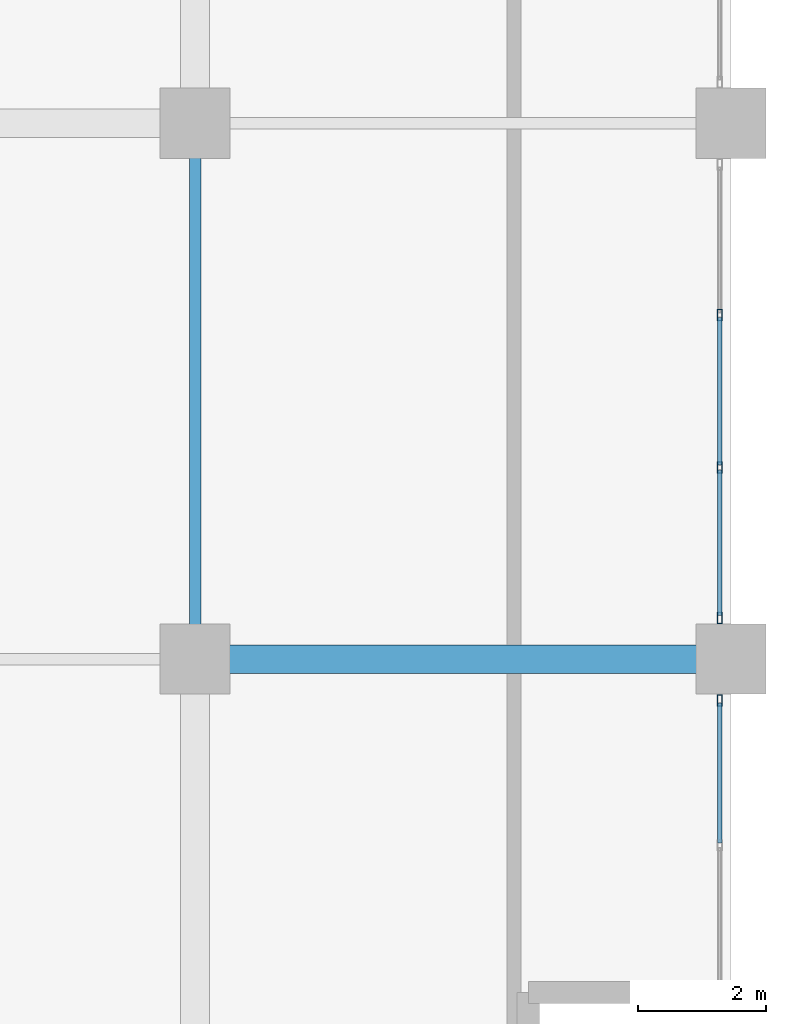
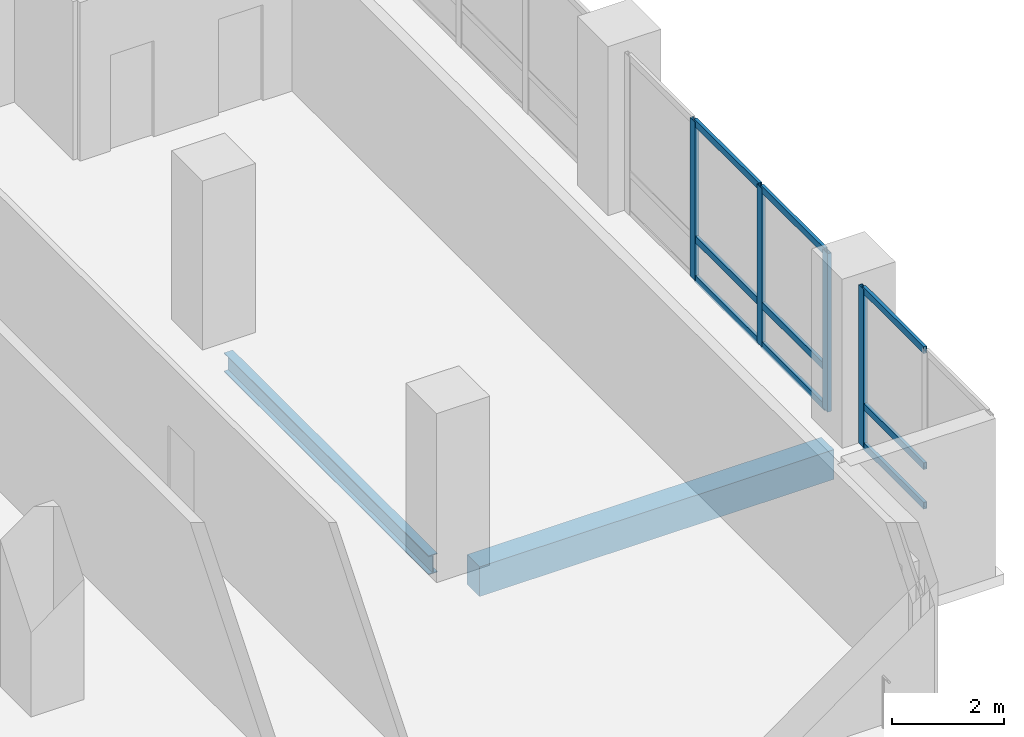
# One storey, part 4 of 22: 13 members, 2 beams, 2 elements without a shape of their own.
"""IFC4 building model written with IfcOpenShell, lengths in metres."""

from ifc_helpers import new_model, si_unit, direction, frame, origin, origin_2d, place, context, subcontext, project, spatial, rectangle, hollow_rectangle, i_section, extrude, material, layer, layer_set, material_profile, profile_set, type_object, element, aggregate, save


model = new_model("IFC4")

# Units and contexts
model_context = context("Model", 3, precision=1e-05, world=origin(), true_north=direction((0.0, 1.0)))
body_context = subcontext(model_context, "Body", "Model", "MODEL_VIEW")
ifc_project = project(units=[si_unit("LENGTHUNIT", "METRE"), si_unit("AREAUNIT", "SQUARE_METRE"), si_unit("VOLUMEUNIT", "CUBIC_METRE"), si_unit("PLANEANGLEUNIT", "RADIAN"), si_unit("MASSUNIT", "GRAM", prefix="KILO")], contexts=[model_context])

# Site, building, storey
site_placement = place(None, origin())
site = spatial("IfcSite", under=ifc_project, at=site_placement, CompositionType="ELEMENT")
building_placement = place(site_placement, origin())
building = spatial("IfcBuilding", under=site, at=building_placement, Name="Koriwani Terraces Tower", CompositionType="ELEMENT")
storey_placement = place(building_placement, frame((0.0, 0.0, 182.800048828125)))
storey = spatial("IfcBuildingStorey", under=building, at=storey_placement, Name="L44", CompositionType="ELEMENT", Elevation=182.800048828125)

# Beam
ifc_material_1 = material(Name="Concrete C50/60", Category="concrete")
ifc_material_profile_1 = material_profile(ifc_material_1, rectangle(XDim=0.449951171875, YDim=0.64990234375, at=origin_2d()), Name="Concrete C50/60", Category="LoadBearing")
ifc_profile_set_1 = profile_set([ifc_material_profile_1], Name="Concrete C50/60")
beam_type_1 = type_object("IfcBeamType", Name="BEAM_RC_GRID_450X650", PredefinedType="BEAM", material=ifc_profile_set_1)
beam_1_placement = place(storey_placement, frame((67.72998046875, 8.39990234375, -0.554931640625), z_axis=(1.0, 0.0, 0.0), x_axis=(0.0, 1.0, 0.0)))
element("IfcBeam", 1, at=beam_1_placement, inside=storey, type_object=beam_type_1, Name="L44 Grid Beam B (67.2-75.6m)", PredefinedType="BEAM", context=body_context, shape_type="SweptSolid", body=[
    extrude(rectangle(XDim=0.449951171875, YDim=0.64990234375, at=origin_2d()), origin(), (0.0, 0.0, 1.0), 7.340087890625),
])

# Curtain wall, members
ifc_material_2 = material(Name="Anodised Bronze Aluminium", Category="aluminium")
ifc_layer = layer(ifc_material_2, 0.169921875, Name="Anodised Bronze Aluminium")
ifc_layer_set = layer_set([ifc_layer], Name="Anodised Bronze Aluminium")
curtain_wall_type = type_object("IfcCurtainWallType", Name="CW_RES_ZONE3", PredefinedType="NOTDEFINED", material=ifc_layer_set)
curtain_wall_1_placement = place(storey_placement, origin())
curtain_wall_1 = element("IfcCurtainWall", 2, at=curtain_wall_1_placement, inside=storey, type_object=curtain_wall_type, Name="L44 Unitised Curtain Wall (E_TIP) Bay 3", PredefinedType="NOTDEFINED")
ifc_material_profile_2 = material_profile(ifc_material_2, hollow_rectangle(XDim=0.074951171875, YDim=0.179931640625, WallThickness=0.006103515625, at=origin_2d()), Name="Anodised Bronze Aluminium", Category="LoadBearing")
ifc_profile_set_2 = profile_set([ifc_material_profile_2], Name="Anodised Bronze Aluminium")
member_type_1 = type_object("IfcMemberType", Name="CW_MULLION_180X75", PredefinedType="MULLION", material=ifc_profile_set_2)
member_1_placement = place(storey_placement, frame((75.425048828125, 13.796630859375, 0.0), z_axis=(0.0, 0.0, 1.0), x_axis=(1.0, 0.0, 0.0)))
member_1 = element("IfcMember", 3, at=member_1_placement, type_object=member_type_1, Name="CW-Z3 mullion 2", PredefinedType="MULLION", context=body_context, shape_type="SweptSolid", body=[
    extrude(hollow_rectangle(XDim=0.074951171875, YDim=0.179931640625, WallThickness=0.006103515625, at=origin_2d()), origin(), (0.0, 0.0, 1.0), 3.469970703125),
])
member_2_placement = place(storey_placement, frame((75.425048828125, 11.4033203125, 0.0), z_axis=(0.0, 0.0, 1.0), x_axis=(1.0, 0.0, 0.0)))
member_2 = element("IfcMember", 4, at=member_2_placement, type_object=member_type_1, Name="CW-Z3 mullion 3", PredefinedType="MULLION", context=body_context, shape_type="SweptSolid", body=[
    extrude(hollow_rectangle(XDim=0.074951171875, YDim=0.179931640625, WallThickness=0.006103515625, at=origin_2d()), origin(), (0.0, 0.0, 1.0), 3.469970703125),
])
member_3_placement = place(storey_placement, frame((75.425048828125, 9.047607421875, 0.0), z_axis=(0.0, 0.0, 1.0), x_axis=(1.0, 0.0, 0.0)))
member_3 = element("IfcMember", 5, at=member_3_placement, type_object=member_type_1, Name="CW-Z3 mullion 4", PredefinedType="MULLION", context=body_context, shape_type="SweptSolid", body=[
    extrude(hollow_rectangle(XDim=0.074951171875, YDim=0.179931640625, WallThickness=0.006103515625, at=origin_2d()), origin(), (0.0, 0.0, 1.0), 3.469970703125),
])

# Curtain wall, member
curtain_wall_2_placement = place(storey_placement, origin())
curtain_wall_2 = element("IfcCurtainWall", 6, at=curtain_wall_2_placement, inside=storey, type_object=curtain_wall_type, Name="L44 Unitised Curtain Wall (E_TIP) Bay 4", PredefinedType="NOTDEFINED")
member_4_placement = place(storey_placement, frame((75.425048828125, 7.75244140625, 0.0), z_axis=(0.0, 0.0, 1.0), x_axis=(1.0, 0.0, 0.0)))
member_4 = element("IfcMember", 7, at=member_4_placement, type_object=member_type_1, Name="CW-Z3 mullion 1", PredefinedType="MULLION", context=body_context, shape_type="SweptSolid", body=[
    extrude(hollow_rectangle(XDim=0.074951171875, YDim=0.179931640625, WallThickness=0.006103515625, at=origin_2d()), origin(), (0.0, 0.0, 1.0), 3.469970703125),
])

# Member
ifc_material_profile_3 = material_profile(ifc_material_2, hollow_rectangle(XDim=0.06494140625, YDim=0.14990234375, WallThickness=0.0048828125, at=origin_2d()), Name="Anodised Bronze Aluminium", Category="LoadBearing")
ifc_profile_set_3 = profile_set([ifc_material_profile_3], Name="Anodised Bronze Aluminium")
member_type_2 = type_object("IfcMemberType", Name="CW_TRANSOM_150X65", PredefinedType="USERDEFINED", material=ifc_profile_set_3)
member_5_placement = place(storey_placement, frame((75.425048828125, 13.75927734375, 0.032470703125), z_axis=(0.0, -1.0, 0.0), x_axis=(1.0, 0.0, 0.0)))
member_5 = element("IfcMember", 8, at=member_5_placement, type_object=member_type_2, Name="CW-Z3 transom 2.1", ObjectType="TRANSOM", PredefinedType="USERDEFINED", context=body_context, shape_type="SweptSolid", body=[
    extrude(hollow_rectangle(XDim=0.06494140625, YDim=0.14990234375, WallThickness=0.0048828125, at=origin_2d()), origin(), (0.0, 0.0, 1.0), 2.318359375),
])

member_6_placement = place(storey_placement, frame((75.425048828125, 13.75927734375, 0.89990234375), z_axis=(0.0, -1.0, 0.0), x_axis=(1.0, 0.0, 0.0)))
member_6 = element("IfcMember", 9, at=member_6_placement, type_object=member_type_2, Name="CW-Z3 transom 2.2", ObjectType="TRANSOM", PredefinedType="USERDEFINED", context=body_context, shape_type="SweptSolid", body=[
    extrude(hollow_rectangle(XDim=0.06494140625, YDim=0.14990234375, WallThickness=0.0048828125, at=origin_2d()), origin(), (0.0, 0.0, 1.0), 2.318359375),
])

member_7_placement = place(storey_placement, frame((75.425048828125, 13.75927734375, 3.4375), z_axis=(0.0, -1.0, 0.0), x_axis=(1.0, 0.0, 0.0)))
member_7 = element("IfcMember", 10, at=member_7_placement, type_object=member_type_2, Name="CW-Z3 transom 2.3", ObjectType="TRANSOM", PredefinedType="USERDEFINED", context=body_context, shape_type="SweptSolid", body=[
    extrude(hollow_rectangle(XDim=0.06494140625, YDim=0.14990234375, WallThickness=0.0048828125, at=origin_2d()), origin(), (0.0, 0.0, 1.0), 2.318359375),
])

member_8_placement = place(storey_placement, frame((75.425048828125, 11.36572265625, 0.032470703125), z_axis=(0.0, -1.0, 0.0), x_axis=(1.0, 0.0, 0.0)))
member_8 = element("IfcMember", 11, at=member_8_placement, type_object=member_type_2, Name="CW-Z3 transom 3.1", ObjectType="TRANSOM", PredefinedType="USERDEFINED", context=body_context, shape_type="SweptSolid", body=[
    extrude(hollow_rectangle(XDim=0.06494140625, YDim=0.14990234375, WallThickness=0.0048828125, at=origin_2d()), origin(), (0.0, 0.0, 1.0), 2.28076171875),
])

member_9_placement = place(storey_placement, frame((75.425048828125, 11.36572265625, 0.89990234375), z_axis=(0.0, -1.0, 0.0), x_axis=(1.0, 0.0, 0.0)))
member_9 = element("IfcMember", 12, at=member_9_placement, type_object=member_type_2, Name="CW-Z3 transom 3.2", ObjectType="TRANSOM", PredefinedType="USERDEFINED", context=body_context, shape_type="SweptSolid", body=[
    extrude(hollow_rectangle(XDim=0.06494140625, YDim=0.14990234375, WallThickness=0.0048828125, at=origin_2d()), origin(), (0.0, 0.0, 1.0), 2.28076171875),
])

member_10_placement = place(storey_placement, frame((75.425048828125, 11.36572265625, 3.4375), z_axis=(0.0, -1.0, 0.0), x_axis=(1.0, 0.0, 0.0)))
member_10 = element("IfcMember", 13, at=member_10_placement, type_object=member_type_2, Name="CW-Z3 transom 3.3", ObjectType="TRANSOM", PredefinedType="USERDEFINED", context=body_context, shape_type="SweptSolid", body=[
    extrude(hollow_rectangle(XDim=0.06494140625, YDim=0.14990234375, WallThickness=0.0048828125, at=origin_2d()), origin(), (0.0, 0.0, 1.0), 2.28076171875),
])

aggregate(curtain_wall_1, [member_1, member_2, member_3, member_5, member_6, member_7, member_8, member_9, member_10])

member_11_placement = place(storey_placement, frame((75.425048828125, 7.715087890625, 0.032470703125), z_axis=(0.0, -1.0, 0.0), x_axis=(1.0, 0.0, 0.0)))
member_11 = element("IfcMember", 14, at=member_11_placement, type_object=member_type_2, Name="CW-Z3 transom 1.1", ObjectType="TRANSOM", PredefinedType="USERDEFINED", context=body_context, shape_type="SweptSolid", body=[
    extrude(hollow_rectangle(XDim=0.06494140625, YDim=0.14990234375, WallThickness=0.0048828125, at=origin_2d()), origin(), (0.0, 0.0, 1.0), 2.195068359375),
])

member_12_placement = place(storey_placement, frame((75.425048828125, 7.715087890625, 0.89990234375), z_axis=(0.0, -1.0, 0.0), x_axis=(1.0, 0.0, 0.0)))
member_12 = element("IfcMember", 15, at=member_12_placement, type_object=member_type_2, Name="CW-Z3 transom 1.2", ObjectType="TRANSOM", PredefinedType="USERDEFINED", context=body_context, shape_type="SweptSolid", body=[
    extrude(hollow_rectangle(XDim=0.06494140625, YDim=0.14990234375, WallThickness=0.0048828125, at=origin_2d()), origin(), (0.0, 0.0, 1.0), 2.195068359375),
])

member_13_placement = place(storey_placement, frame((75.425048828125, 7.715087890625, 3.4375), z_axis=(0.0, -1.0, 0.0), x_axis=(1.0, 0.0, 0.0)))
member_13 = element("IfcMember", 16, at=member_13_placement, type_object=member_type_2, Name="CW-Z3 transom 1.3", ObjectType="TRANSOM", PredefinedType="USERDEFINED", context=body_context, shape_type="SweptSolid", body=[
    extrude(hollow_rectangle(XDim=0.06494140625, YDim=0.14990234375, WallThickness=0.0048828125, at=origin_2d()), origin(), (0.0, 0.0, 1.0), 2.195068359375),
])

aggregate(curtain_wall_2, [member_4, member_11, member_12, member_13])

# Beam
ifc_material_3 = material(Name="Steel ASTM A572 Grade 50", Category="steel")
ifc_material_profile_4 = material_profile(ifc_material_3, i_section(OverallWidth=0.180908203125, OverallDepth=0.4169921875, WebThickness=0.010986328125, FlangeThickness=0.018310546875, at=origin_2d()), Name="Steel ASTM A572 Grade 50", Category="LoadBearing")
ifc_profile_set_4 = profile_set([ifc_material_profile_4], Name="Steel ASTM A572 Grade 50")
beam_type_2 = type_object("IfcBeamType", Name="STEEL_BEAM_W410X85", PredefinedType="JOIST", material=ifc_profile_set_4)
beam_2_placement = place(storey_placement, frame((67.199951171875, 8.929931640625, -0.4384765625), z_axis=(0.0, 1.0, 0.0), x_axis=(-1.0, 0.0, 0.0)))
element("IfcBeam", 17, at=beam_2_placement, inside=storey, type_object=beam_type_2, Name="L44 Grid Beam 9 (8.4-16.8m)", PredefinedType="JOIST", context=body_context, shape_type="SweptSolid", body=[
    extrude(i_section(OverallWidth=0.180908203125, OverallDepth=0.4169921875, WebThickness=0.010986328125, FlangeThickness=0.018310546875, at=origin_2d()), origin(), (0.0, 0.0, 1.0), 7.340087890625),
])

save(model, "model.ifc")
